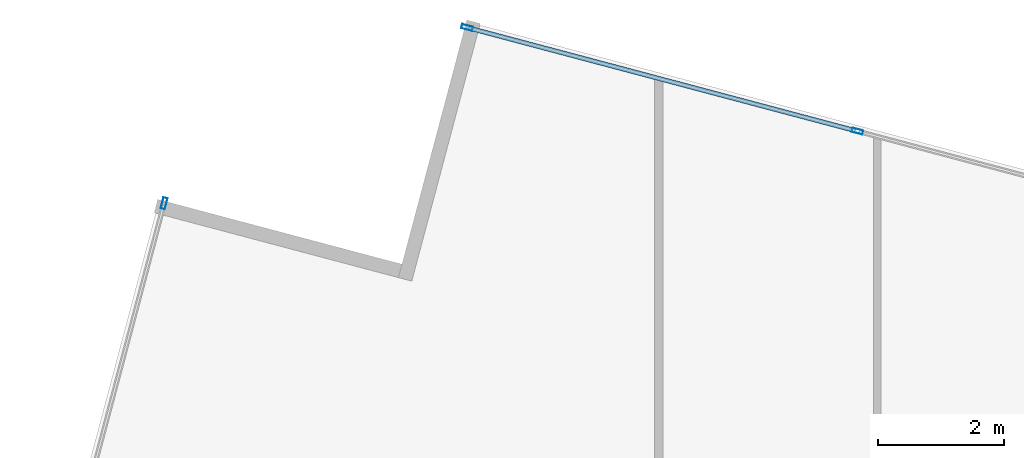
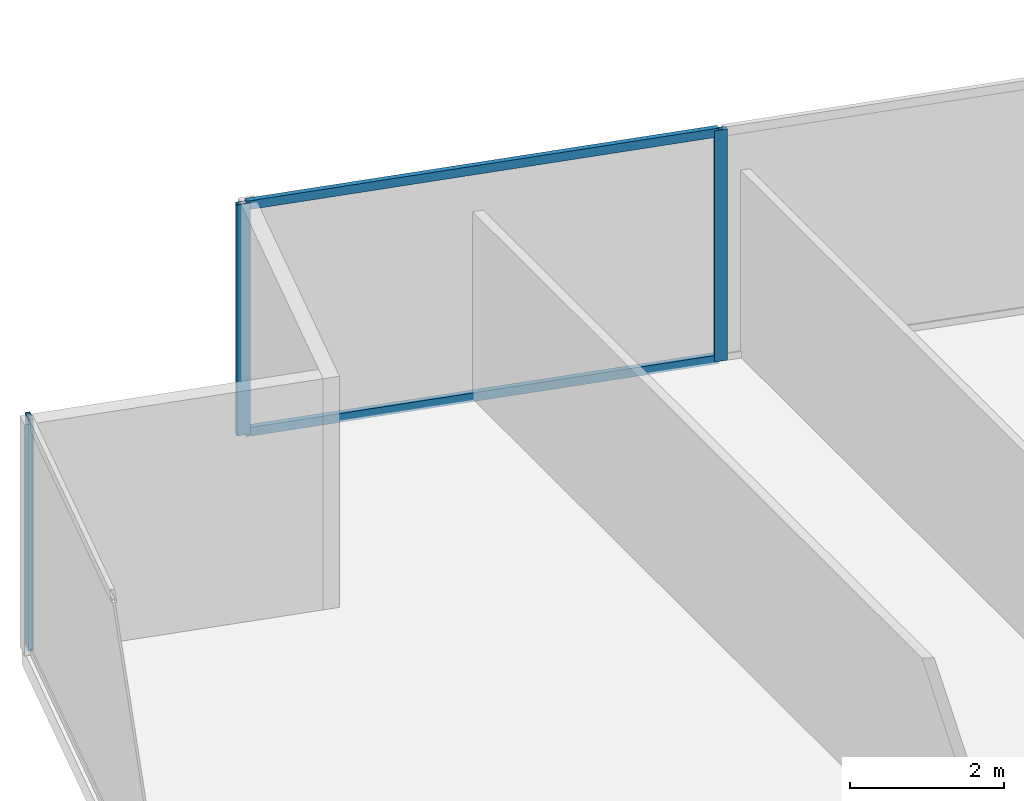
# One storey, part 17 of 27: 5 members, 2 elements without a shape of their own.
"""IFC4 building model written with IfcOpenShell, lengths in metres."""

from ifc_helpers import new_model, si_unit, direction, frame, origin, origin_2d, place, context, subcontext, project, spatial, hollow_rectangle, extrude, source, transform, mapped, material, material_profile, profile_set, type_object, type_shapes, element, aggregate, save


model = new_model("IFC4")

# Units and contexts
model_context = context("Model", 3, precision=1e-05, world=origin(), true_north=direction((0.0, 1.0)))
body_context = subcontext(model_context, "Body", "Model", "MODEL_VIEW")
ifc_project = project(units=[si_unit("LENGTHUNIT", "METRE"), si_unit("AREAUNIT", "SQUARE_METRE"), si_unit("VOLUMEUNIT", "CUBIC_METRE"), si_unit("PLANEANGLEUNIT", "RADIAN"), si_unit("MASSUNIT", "GRAM", prefix="KILO")], contexts=[model_context])

# Site, building, storey
site_placement = place(None, origin())
site = spatial("IfcSite", under=ifc_project, at=site_placement, CompositionType="ELEMENT")
building_placement = place(site_placement, origin())
building = spatial("IfcBuilding", under=site, at=building_placement, Name="Krantzveldt Concourse Tower", CompositionType="ELEMENT")
storey_placement = place(building_placement, frame((0.0, 0.0, 97.949951171875)))
storey = spatial("IfcBuildingStorey", under=building, at=storey_placement, Name="L23", CompositionType="ELEMENT", Elevation=97.949951171875)

# Curtain wall, member
ifc_material = material(Name="Anodised aluminium 6063-T6", Category="aluminium")
curtain_wall_type = type_object("IfcCurtainWallType", Name="CW2", PredefinedType="USERDEFINED", material=ifc_material)
curtain_wall_1_placement = place(storey_placement, origin())
curtain_wall_1 = element("IfcCurtainWall", 1, at=curtain_wall_1_placement, inside=storey, type_object=curtain_wall_type, Name="CW-L23-F01", ObjectType="UNITISED CURTAIN WALL", PredefinedType="USERDEFINED")
ifc_material_profile_1 = material_profile(ifc_material, hollow_rectangle(XDim=0.070068359375, YDim=0.179931640625, WallThickness=0.0048828125, at=origin_2d()), Name="Anodised aluminium 6063-T6", Category="aluminium")
ifc_profile_set_1 = profile_set([ifc_material_profile_1], Name="Anodised aluminium 6063-T6 - ALU-MULL 180x70x5")
member_type_1 = type_object("IfcMemberType", Name="CW-MUL-180", PredefinedType="MULLION", material=ifc_profile_set_1)
shared_shape_1 = source(origin(), body_context, "Body", "SweptSolid", [
    extrude(hollow_rectangle(XDim=0.070068359375, YDim=0.179931640625, WallThickness=0.0048828125, at=origin_2d()), origin(), (0.0, 0.0, 1.0), 3.670166015625),
])
type_shapes(member_type_1, [shared_shape_1])
member_1_placement = place(storey_placement, frame((18.4423828125, 51.39990234375, 0.0), z_axis=(0.0, 0.0, 1.0), x_axis=(0.966488186373, -0.256711093648, 0.0)))
member_1 = element("IfcMember", 2, at=member_1_placement, type_object=member_type_1, Name="CW-Z12 mullion 1", PredefinedType="MULLION", context=body_context, shape_type="MappedRepresentation", body=[
    mapped(shared_shape_1, transform((0.0, 0.0, 0.0), x_axis=(1.0, 0.0, 0.0), y_axis=(0.0, 1.0, 0.0), z_axis=(0.0, 0.0, 1.0), scale=1.0)),
])
aggregate(curtain_wall_1, [member_1])

# Curtain wall, members
curtain_wall_2_placement = place(storey_placement, origin())
curtain_wall_2 = element("IfcCurtainWall", 3, at=curtain_wall_2_placement, inside=storey, type_object=curtain_wall_type, Name="CW-L23-F14", ObjectType="UNITISED CURTAIN WALL", PredefinedType="USERDEFINED")
member_2_placement = place(storey_placement, frame((29.484130859375, 52.549072265625, 0.0), z_axis=(0.0, 0.0, 1.0), x_axis=(-0.256711093648, -0.966488186373, 0.0)))
member_2 = element("IfcMember", 4, at=member_2_placement, type_object=member_type_1, Name="CW-Z12 mullion 6", PredefinedType="MULLION", context=body_context, shape_type="MappedRepresentation", body=[
    mapped(shared_shape_1, transform((0.0, 0.0, 0.0), x_axis=(1.0, 0.0, 0.0), y_axis=(0.0, 1.0, 0.0), z_axis=(0.0, 0.0, 1.0), scale=1.0)),
])
member_3_placement = place(storey_placement, frame((23.267822265625, 54.199951171875, 0.0), z_axis=(0.0, 0.0, 1.0), x_axis=(-0.256711093648, -0.966488186373, 0.0)))
member_3 = element("IfcMember", 5, at=member_3_placement, type_object=member_type_1, Name="CW-Z12 mullion 7", PredefinedType="MULLION", context=body_context, shape_type="MappedRepresentation", body=[
    mapped(shared_shape_1, transform((0.0, 0.0, 0.0), x_axis=(1.0, 0.0, 0.0), y_axis=(0.0, 1.0, 0.0), z_axis=(0.0, 0.0, 1.0), scale=1.0)),
])
ifc_material_profile_2 = material_profile(ifc_material, hollow_rectangle(XDim=0.070068359375, YDim=0.139892578125, WallThickness=0.0048828125, at=origin_2d()), Name="Anodised aluminium 6063-T6", Category="aluminium")
ifc_profile_set_2 = profile_set([ifc_material_profile_2], Name="Anodised aluminium 6063-T6 - ALU-TRAN 140x70x5")
member_type_2 = type_object("IfcMemberType", Name="CW-TRN-150", PredefinedType="USERDEFINED", material=ifc_profile_set_2)
shared_shape_2 = source(origin(), body_context, "Body", "SweptSolid", [
    extrude(hollow_rectangle(XDim=0.070068359375, YDim=0.139892578125, WallThickness=0.0048828125, at=origin_2d()), origin(), (0.0, 0.0, 1.0), 6.361572265625),
])
type_shapes(member_type_2, [shared_shape_2])
member_4_placement = place(storey_placement, frame((29.4501953125, 52.557861328125, 0.03515625), z_axis=(-0.966480365766, 0.256740535538, 0.0), x_axis=(-0.256740535538, -0.966480365766, 0.0)))
member_4 = element("IfcMember", 6, at=member_4_placement, type_object=member_type_2, Name="CW-Z12 transom 6.1", ObjectType="TRANSOM", PredefinedType="USERDEFINED", context=body_context, shape_type="MappedRepresentation", body=[
    mapped(shared_shape_2, transform((0.0, 0.0, 0.0), x_axis=(1.0, 0.0, 0.0), y_axis=(0.0, 1.0, 0.0), z_axis=(0.0, 0.0, 1.0), scale=1.0)),
])
member_5_placement = place(storey_placement, frame((29.4501953125, 52.557861328125, 3.635009765625), z_axis=(-0.966480365766, 0.256740535538, 0.0), x_axis=(-0.256740535538, -0.966480365766, 0.0)))
member_5 = element("IfcMember", 7, at=member_5_placement, type_object=member_type_2, Name="CW-Z12 transom 6.2", ObjectType="TRANSOM", PredefinedType="USERDEFINED", context=body_context, shape_type="MappedRepresentation", body=[
    mapped(shared_shape_2, transform((0.0, 0.0, 0.0), x_axis=(1.0, 0.0, 0.0), y_axis=(0.0, 1.0, 0.0), z_axis=(0.0, 0.0, 1.0), scale=1.0)),
])
aggregate(curtain_wall_2, [member_2, member_3, member_4, member_5])

save(model, "model.ifc")
